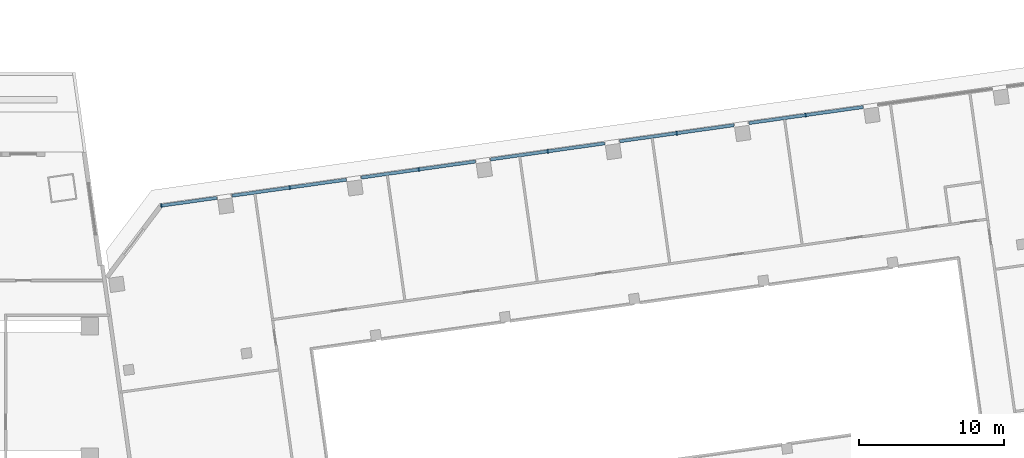
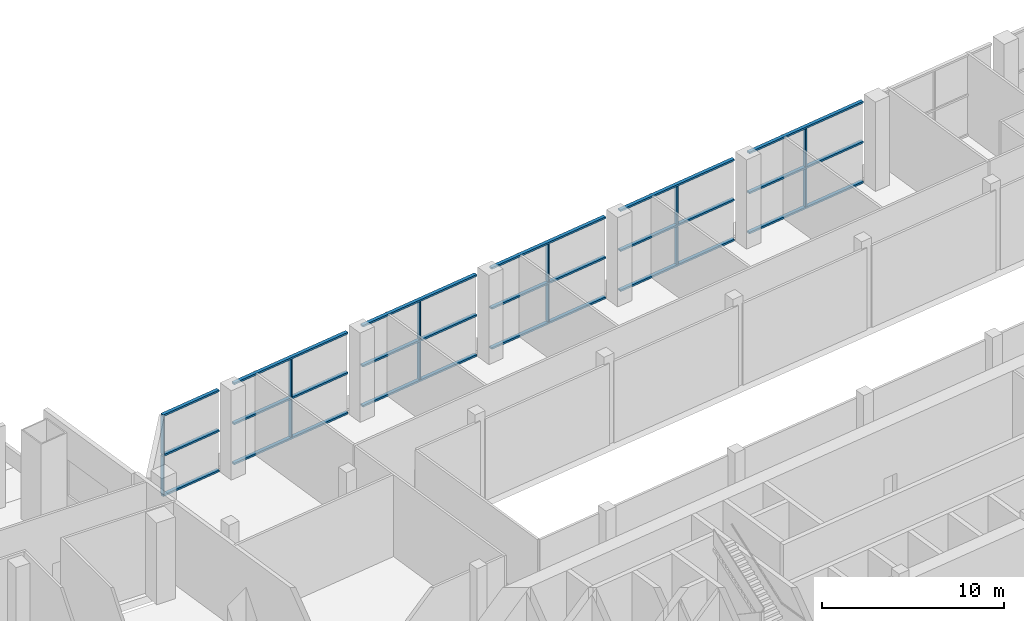
# One storey, part 5 of 24: 30 members, 1 element without a shape of its own.
"""IFC4 building model written with IfcOpenShell, lengths in metres."""

from ifc_helpers import new_model, si_unit, direction, frame, origin, origin_2d, place, context, subcontext, project, spatial, rectangle, extrude, material, material_profile, profile_set, type_object, element, aggregate, save


model = new_model("IFC4")

# Units and contexts
model_context = context("Model", 3, precision=1e-05, world=origin(), true_north=direction((0.0, 1.0)))
body_context = subcontext(model_context, "Body", "Model", "MODEL_VIEW")
ifc_project = project(units=[si_unit("LENGTHUNIT", "METRE"), si_unit("AREAUNIT", "SQUARE_METRE"), si_unit("VOLUMEUNIT", "CUBIC_METRE"), si_unit("PLANEANGLEUNIT", "RADIAN"), si_unit("MASSUNIT", "GRAM", prefix="KILO")], contexts=[model_context])

# Site, building, storey
site_placement = place(None, origin())
site = spatial("IfcSite", under=ifc_project, at=site_placement, CompositionType="ELEMENT")
building_placement = place(site_placement, origin())
building = spatial("IfcBuilding", under=site, at=building_placement, Name="Mirante Cascada Hotel Towers", CompositionType="ELEMENT")
storey_placement = place(building_placement, frame((0.0, 0.0, 17.5)))
storey = spatial("IfcBuildingStorey", under=building, at=storey_placement, Name="L02", CompositionType="ELEMENT", Elevation=17.5)

# Curtain wall, members
ifc_material_1 = material(Name="Aluminium mullion and transom frame with clear laminated glass", Category="aluminium")
curtain_wall_type = type_object("IfcCurtainWallType", Name="Podium curtain wall ECW3", PredefinedType="NOTDEFINED", material=ifc_material_1)
curtain_wall_placement = place(storey_placement, origin())
curtain_wall = element("IfcCurtainWall", 1, at=curtain_wall_placement, inside=storey, type_object=curtain_wall_type, Name="Front podium glazing T2 L02", PredefinedType="NOTDEFINED")
ifc_material_2 = material(Name="Anodised aluminium extrusion", Category="aluminium")
ifc_material_profile_1 = material_profile(ifc_material_2, rectangle(XDim=0.26, YDim=0.08, at=origin_2d()), Name="ECW3 MULLION 80x260")
ifc_profile_set_1 = profile_set([ifc_material_profile_1], Name="Anodised aluminium extrusion")
member_type_1 = type_object("IfcMemberType", Name="ECW3 mullion 80x260", PredefinedType="MULLION", material=ifc_profile_set_1)
member_1_placement = place(storey_placement, frame((76.3685, 23.5519, 0.12), z_axis=(0.0, 0.0, 1.0), x_axis=(0.1391731, -0.9902681, 0.0)))
member_1 = element("IfcMember", 2, at=member_1_placement, type_object=member_type_1, Name="ECW3 mullion 5", PredefinedType="MULLION", context=body_context, shape_type="SweptSolid", body=[
    extrude(rectangle(XDim=0.26, YDim=0.08, at=origin_2d()), origin(), (0.0, 0.0, 1.0), 2.57),
])
member_2_placement = place(storey_placement, frame((76.3685, 23.5519, 2.81), z_axis=(0.0, 0.0, 1.0), x_axis=(0.1391731, -0.9902681, 0.0)))
member_2 = element("IfcMember", 3, at=member_2_placement, type_object=member_type_1, Name="ECW3 mullion 5", PredefinedType="MULLION", context=body_context, shape_type="SweptSolid", body=[
    extrude(rectangle(XDim=0.26, YDim=0.08, at=origin_2d()), origin(), (0.0, 0.0, 1.0), 2.57),
])
member_3_placement = place(storey_placement, frame((67.4737, 22.3018, 0.12), z_axis=(0.0, 0.0, 1.0), x_axis=(0.1391731, -0.9902681, 0.0)))
member_3 = element("IfcMember", 4, at=member_3_placement, type_object=member_type_1, Name="ECW3 mullion 7", PredefinedType="MULLION", context=body_context, shape_type="SweptSolid", body=[
    extrude(rectangle(XDim=0.26, YDim=0.08, at=origin_2d()), origin(), (0.0, 0.0, 1.0), 2.57),
])
member_4_placement = place(storey_placement, frame((67.4737, 22.3018, 2.81), z_axis=(0.0, 0.0, 1.0), x_axis=(0.1391731, -0.9902681, 0.0)))
member_4 = element("IfcMember", 5, at=member_4_placement, type_object=member_type_1, Name="ECW3 mullion 7", PredefinedType="MULLION", context=body_context, shape_type="SweptSolid", body=[
    extrude(rectangle(XDim=0.26, YDim=0.08, at=origin_2d()), origin(), (0.0, 0.0, 1.0), 2.57),
])
member_5_placement = place(storey_placement, frame((58.5788, 21.0517, 0.12), z_axis=(0.0, 0.0, 1.0), x_axis=(0.1391731, -0.9902681, 0.0)))
member_5 = element("IfcMember", 6, at=member_5_placement, type_object=member_type_1, Name="ECW3 mullion 9", PredefinedType="MULLION", context=body_context, shape_type="SweptSolid", body=[
    extrude(rectangle(XDim=0.26, YDim=0.08, at=origin_2d()), origin(), (0.0, 0.0, 1.0), 2.57),
])
member_6_placement = place(storey_placement, frame((58.5788, 21.0517, 2.81), z_axis=(0.0, 0.0, 1.0), x_axis=(0.1391731, -0.9902681, 0.0)))
member_6 = element("IfcMember", 7, at=member_6_placement, type_object=member_type_1, Name="ECW3 mullion 9", PredefinedType="MULLION", context=body_context, shape_type="SweptSolid", body=[
    extrude(rectangle(XDim=0.26, YDim=0.08, at=origin_2d()), origin(), (0.0, 0.0, 1.0), 2.57),
])
member_7_placement = place(storey_placement, frame((49.684, 19.8017, 0.12), z_axis=(0.0, 0.0, 1.0), x_axis=(0.1391731, -0.9902681, 0.0)))
member_7 = element("IfcMember", 8, at=member_7_placement, type_object=member_type_1, Name="ECW3 mullion 11", PredefinedType="MULLION", context=body_context, shape_type="SweptSolid", body=[
    extrude(rectangle(XDim=0.26, YDim=0.08, at=origin_2d()), origin(), (0.0, 0.0, 1.0), 2.57),
])
member_8_placement = place(storey_placement, frame((49.684, 19.8017, 2.81), z_axis=(0.0, 0.0, 1.0), x_axis=(0.1391731, -0.9902681, 0.0)))
member_8 = element("IfcMember", 9, at=member_8_placement, type_object=member_type_1, Name="ECW3 mullion 11", PredefinedType="MULLION", context=body_context, shape_type="SweptSolid", body=[
    extrude(rectangle(XDim=0.26, YDim=0.08, at=origin_2d()), origin(), (0.0, 0.0, 1.0), 2.57),
])
member_9_placement = place(storey_placement, frame((40.7892, 18.5516, 0.12), z_axis=(0.0, 0.0, 1.0), x_axis=(0.1391731, -0.9902681, 0.0)))
member_9 = element("IfcMember", 10, at=member_9_placement, type_object=member_type_1, Name="ECW3 mullion 13", PredefinedType="MULLION", context=body_context, shape_type="SweptSolid", body=[
    extrude(rectangle(XDim=0.26, YDim=0.08, at=origin_2d()), origin(), (0.0, 0.0, 1.0), 2.57),
])
member_10_placement = place(storey_placement, frame((40.7892, 18.5516, 2.81), z_axis=(0.0, 0.0, 1.0), x_axis=(0.1391731, -0.9902681, 0.0)))
member_10 = element("IfcMember", 11, at=member_10_placement, type_object=member_type_1, Name="ECW3 mullion 13", PredefinedType="MULLION", context=body_context, shape_type="SweptSolid", body=[
    extrude(rectangle(XDim=0.26, YDim=0.08, at=origin_2d()), origin(), (0.0, 0.0, 1.0), 2.57),
])
member_11_placement = place(storey_placement, frame((31.9339, 17.307, 0.12), z_axis=(0.0, 0.0, 1.0), x_axis=(0.1391731, -0.9902681, 0.0)))
member_11 = element("IfcMember", 12, at=member_11_placement, type_object=member_type_1, Name="ECW3 mullion 15", PredefinedType="MULLION", context=body_context, shape_type="SweptSolid", body=[
    extrude(rectangle(XDim=0.26, YDim=0.08, at=origin_2d()), origin(), (0.0, 0.0, 1.0), 2.57),
])
member_12_placement = place(storey_placement, frame((31.9339, 17.307, 2.81), z_axis=(0.0, 0.0, 1.0), x_axis=(0.1391731, -0.9902681, 0.0)))
member_12 = element("IfcMember", 13, at=member_12_placement, type_object=member_type_1, Name="ECW3 mullion 15", PredefinedType="MULLION", context=body_context, shape_type="SweptSolid", body=[
    extrude(rectangle(XDim=0.26, YDim=0.08, at=origin_2d()), origin(), (0.0, 0.0, 1.0), 2.57),
])
ifc_material_3 = material(Name="Anodised aluminium extrusion", Category="aluminium")
ifc_material_profile_2 = material_profile(ifc_material_3, rectangle(XDim=0.22, YDim=0.12, at=origin_2d()), Name="ECW3 TRANSOM 120x220")
ifc_profile_set_2 = profile_set([ifc_material_profile_2], Name="Anodised aluminium extrusion")
member_type_2 = type_object("IfcMemberType", Name="ECW3 transom 120x220", PredefinedType="USERDEFINED", material=ifc_profile_set_2)
member_13_placement = place(storey_placement, frame((80.3361, 24.1095, 0.06), z_axis=(-0.9902683, -0.1391715, 0.0), x_axis=(0.1391715, -0.9902683, 0.0)))
member_13 = element("IfcMember", 14, at=member_13_placement, type_object=member_type_2, Name="ECW3 sill transom", ObjectType="TRANSOM", PredefinedType="USERDEFINED", context=body_context, shape_type="SweptSolid", body=[
    extrude(rectangle(XDim=0.22, YDim=0.12, at=origin_2d()), origin(), (0.0, 0.0, 1.0), 7.96),
])
member_14_placement = place(storey_placement, frame((71.4237, 22.857, 0.06), z_axis=(-0.9902683, -0.1391715, 0.0), x_axis=(0.1391715, -0.9902683, 0.0)))
member_14 = element("IfcMember", 15, at=member_14_placement, type_object=member_type_2, Name="ECW3 sill transom", ObjectType="TRANSOM", PredefinedType="USERDEFINED", context=body_context, shape_type="SweptSolid", body=[
    extrude(rectangle(XDim=0.22, YDim=0.12, at=origin_2d()), origin(), (0.0, 0.0, 1.0), 7.96),
])
member_15_placement = place(storey_placement, frame((62.5113, 21.6044, 0.06), z_axis=(-0.9902683, -0.1391715, 0.0), x_axis=(0.1391715, -0.9902683, 0.0)))
member_15 = element("IfcMember", 16, at=member_15_placement, type_object=member_type_2, Name="ECW3 sill transom", ObjectType="TRANSOM", PredefinedType="USERDEFINED", context=body_context, shape_type="SweptSolid", body=[
    extrude(rectangle(XDim=0.22, YDim=0.12, at=origin_2d()), origin(), (0.0, 0.0, 1.0), 7.96),
])
member_16_placement = place(storey_placement, frame((53.5989, 20.3519, 0.06), z_axis=(-0.9902666, -0.1391838, 0.0), x_axis=(0.1391838, -0.9902666, 0.0)))
member_16 = element("IfcMember", 17, at=member_16_placement, type_object=member_type_2, Name="ECW3 sill transom", ObjectType="TRANSOM", PredefinedType="USERDEFINED", context=body_context, shape_type="SweptSolid", body=[
    extrude(rectangle(XDim=0.22, YDim=0.12, at=origin_2d()), origin(), (0.0, 0.0, 1.0), 7.96),
])
member_17_placement = place(storey_placement, frame((44.6865, 19.0993, 0.06), z_axis=(-0.9902685, -0.1391698, 0.0), x_axis=(0.1391698, -0.9902685, 0.0)))
member_17 = element("IfcMember", 18, at=member_17_placement, type_object=member_type_2, Name="ECW3 sill transom", ObjectType="TRANSOM", PredefinedType="USERDEFINED", context=body_context, shape_type="SweptSolid", body=[
    extrude(rectangle(XDim=0.22, YDim=0.12, at=origin_2d()), origin(), (0.0, 0.0, 1.0), 7.9601),
])
member_18_placement = place(storey_placement, frame((35.7741, 17.8467, 0.06), z_axis=(-0.9902705, -0.1391555, 0.0), x_axis=(0.1391555, -0.9902705, 0.0)))
member_18 = element("IfcMember", 19, at=member_18_placement, type_object=member_type_2, Name="ECW3 sill transom", ObjectType="TRANSOM", PredefinedType="USERDEFINED", context=body_context, shape_type="SweptSolid", body=[
    extrude(rectangle(XDim=0.22, YDim=0.12, at=origin_2d()), origin(), (0.0, 0.0, 1.0), 3.9179),
])
member_19_placement = place(storey_placement, frame((80.3361, 24.1095, 2.75), z_axis=(-0.9902683, -0.1391715, 0.0), x_axis=(0.1391715, -0.9902683, 0.0)))
member_19 = element("IfcMember", 20, at=member_19_placement, type_object=member_type_2, Name="ECW3 intermediate transom", ObjectType="TRANSOM", PredefinedType="USERDEFINED", context=body_context, shape_type="SweptSolid", body=[
    extrude(rectangle(XDim=0.22, YDim=0.12, at=origin_2d()), origin(), (0.0, 0.0, 1.0), 7.96),
])
member_20_placement = place(storey_placement, frame((71.4237, 22.857, 2.75), z_axis=(-0.9902683, -0.1391715, 0.0), x_axis=(0.1391715, -0.9902683, 0.0)))
member_20 = element("IfcMember", 21, at=member_20_placement, type_object=member_type_2, Name="ECW3 intermediate transom", ObjectType="TRANSOM", PredefinedType="USERDEFINED", context=body_context, shape_type="SweptSolid", body=[
    extrude(rectangle(XDim=0.22, YDim=0.12, at=origin_2d()), origin(), (0.0, 0.0, 1.0), 7.96),
])
member_21_placement = place(storey_placement, frame((62.5113, 21.6044, 2.75), z_axis=(-0.9902683, -0.1391715, 0.0), x_axis=(0.1391715, -0.9902683, 0.0)))
member_21 = element("IfcMember", 22, at=member_21_placement, type_object=member_type_2, Name="ECW3 intermediate transom", ObjectType="TRANSOM", PredefinedType="USERDEFINED", context=body_context, shape_type="SweptSolid", body=[
    extrude(rectangle(XDim=0.22, YDim=0.12, at=origin_2d()), origin(), (0.0, 0.0, 1.0), 7.96),
])
member_22_placement = place(storey_placement, frame((53.5989, 20.3519, 2.75), z_axis=(-0.9902666, -0.1391838, 0.0), x_axis=(0.1391838, -0.9902666, 0.0)))
member_22 = element("IfcMember", 23, at=member_22_placement, type_object=member_type_2, Name="ECW3 intermediate transom", ObjectType="TRANSOM", PredefinedType="USERDEFINED", context=body_context, shape_type="SweptSolid", body=[
    extrude(rectangle(XDim=0.22, YDim=0.12, at=origin_2d()), origin(), (0.0, 0.0, 1.0), 7.96),
])
member_23_placement = place(storey_placement, frame((44.6865, 19.0993, 2.75), z_axis=(-0.9902685, -0.1391698, 0.0), x_axis=(0.1391698, -0.9902685, 0.0)))
member_23 = element("IfcMember", 24, at=member_23_placement, type_object=member_type_2, Name="ECW3 intermediate transom", ObjectType="TRANSOM", PredefinedType="USERDEFINED", context=body_context, shape_type="SweptSolid", body=[
    extrude(rectangle(XDim=0.22, YDim=0.12, at=origin_2d()), origin(), (0.0, 0.0, 1.0), 7.9601),
])
member_24_placement = place(storey_placement, frame((35.7741, 17.8467, 2.75), z_axis=(-0.9902705, -0.1391555, 0.0), x_axis=(0.1391555, -0.9902705, 0.0)))
member_24 = element("IfcMember", 25, at=member_24_placement, type_object=member_type_2, Name="ECW3 intermediate transom", ObjectType="TRANSOM", PredefinedType="USERDEFINED", context=body_context, shape_type="SweptSolid", body=[
    extrude(rectangle(XDim=0.22, YDim=0.12, at=origin_2d()), origin(), (0.0, 0.0, 1.0), 3.9179),
])
member_25_placement = place(storey_placement, frame((80.3361, 24.1095, 5.44), z_axis=(-0.9902683, -0.1391715, 0.0), x_axis=(0.1391715, -0.9902683, 0.0)))
member_25 = element("IfcMember", 26, at=member_25_placement, type_object=member_type_2, Name="ECW3 head transom", ObjectType="TRANSOM", PredefinedType="USERDEFINED", context=body_context, shape_type="SweptSolid", body=[
    extrude(rectangle(XDim=0.22, YDim=0.12, at=origin_2d()), origin(), (0.0, 0.0, 1.0), 7.96),
])
member_26_placement = place(storey_placement, frame((71.4237, 22.857, 5.44), z_axis=(-0.9902683, -0.1391715, 0.0), x_axis=(0.1391715, -0.9902683, 0.0)))
member_26 = element("IfcMember", 27, at=member_26_placement, type_object=member_type_2, Name="ECW3 head transom", ObjectType="TRANSOM", PredefinedType="USERDEFINED", context=body_context, shape_type="SweptSolid", body=[
    extrude(rectangle(XDim=0.22, YDim=0.12, at=origin_2d()), origin(), (0.0, 0.0, 1.0), 7.96),
])
member_27_placement = place(storey_placement, frame((62.5113, 21.6044, 5.44), z_axis=(-0.9902683, -0.1391715, 0.0), x_axis=(0.1391715, -0.9902683, 0.0)))
member_27 = element("IfcMember", 28, at=member_27_placement, type_object=member_type_2, Name="ECW3 head transom", ObjectType="TRANSOM", PredefinedType="USERDEFINED", context=body_context, shape_type="SweptSolid", body=[
    extrude(rectangle(XDim=0.22, YDim=0.12, at=origin_2d()), origin(), (0.0, 0.0, 1.0), 7.96),
])
member_28_placement = place(storey_placement, frame((53.5989, 20.3519, 5.44), z_axis=(-0.9902666, -0.1391838, 0.0), x_axis=(0.1391838, -0.9902666, 0.0)))
member_28 = element("IfcMember", 29, at=member_28_placement, type_object=member_type_2, Name="ECW3 head transom", ObjectType="TRANSOM", PredefinedType="USERDEFINED", context=body_context, shape_type="SweptSolid", body=[
    extrude(rectangle(XDim=0.22, YDim=0.12, at=origin_2d()), origin(), (0.0, 0.0, 1.0), 7.96),
])
member_29_placement = place(storey_placement, frame((44.6865, 19.0993, 5.44), z_axis=(-0.9902685, -0.1391698, 0.0), x_axis=(0.1391698, -0.9902685, 0.0)))
member_29 = element("IfcMember", 30, at=member_29_placement, type_object=member_type_2, Name="ECW3 head transom", ObjectType="TRANSOM", PredefinedType="USERDEFINED", context=body_context, shape_type="SweptSolid", body=[
    extrude(rectangle(XDim=0.22, YDim=0.12, at=origin_2d()), origin(), (0.0, 0.0, 1.0), 7.9601),
])
member_30_placement = place(storey_placement, frame((35.7741, 17.8467, 5.44), z_axis=(-0.9902705, -0.1391555, 0.0), x_axis=(0.1391555, -0.9902705, 0.0)))
member_30 = element("IfcMember", 31, at=member_30_placement, type_object=member_type_2, Name="ECW3 head transom", ObjectType="TRANSOM", PredefinedType="USERDEFINED", context=body_context, shape_type="SweptSolid", body=[
    extrude(rectangle(XDim=0.22, YDim=0.12, at=origin_2d()), origin(), (0.0, 0.0, 1.0), 3.9179),
])
aggregate(curtain_wall, [member_13, member_14, member_15, member_16, member_17, member_18, member_19, member_20, member_21, member_22, member_23, member_24, member_25, member_26, member_27, member_28, member_29, member_30, member_1, member_2, member_3, member_4, member_5, member_6, member_7, member_8, member_9, member_10, member_11, member_12])

save(model, "model.ifc")
